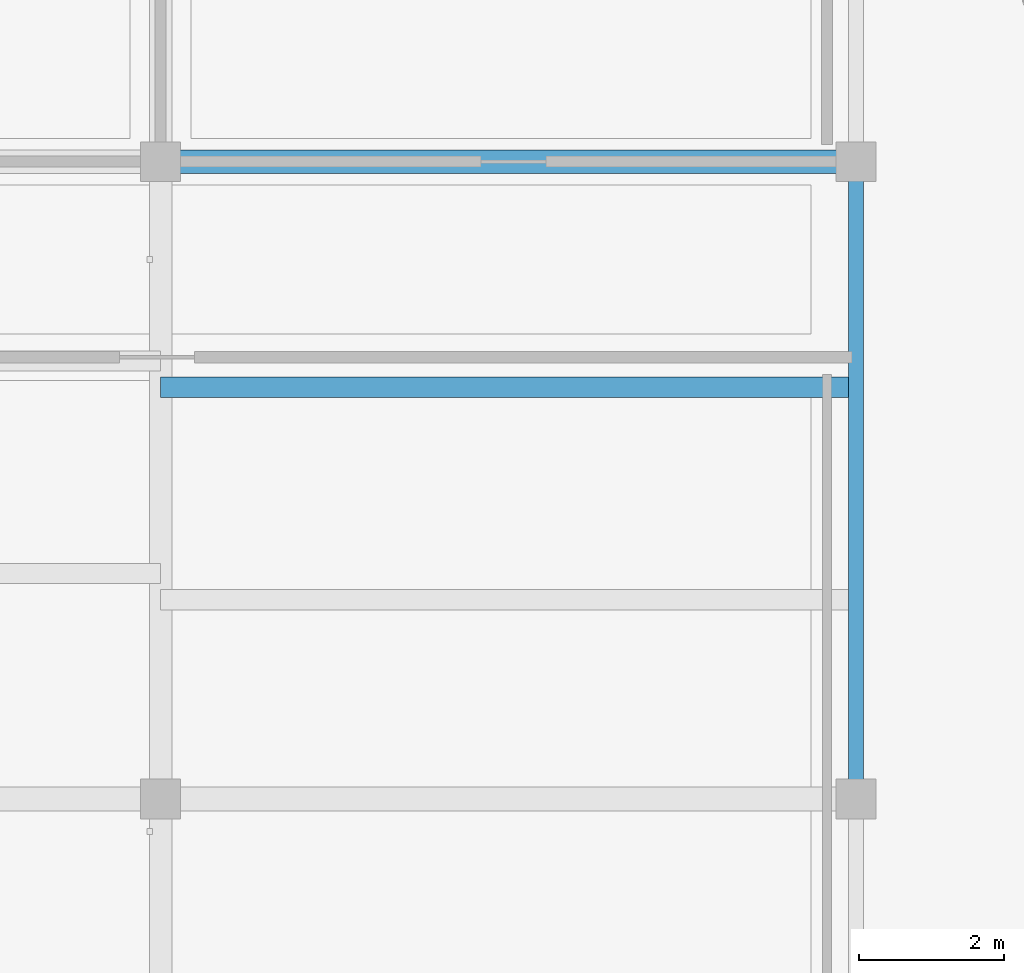
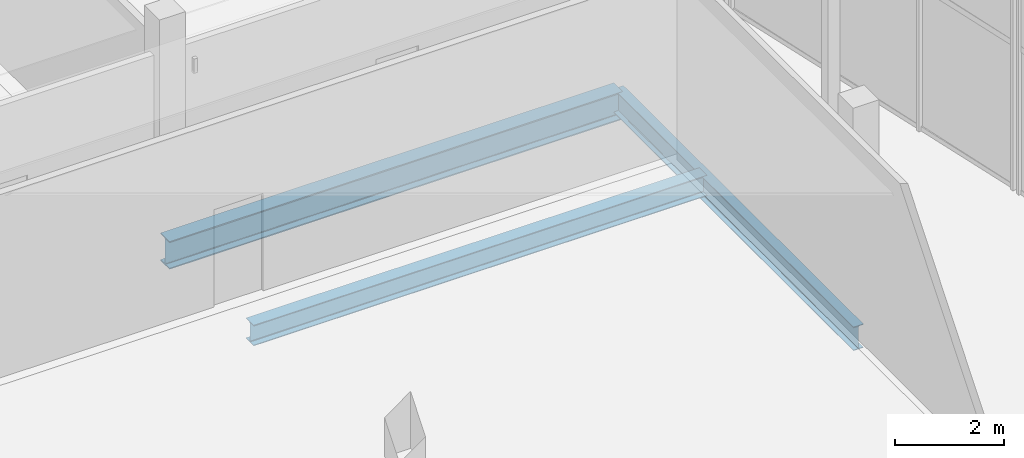
# One storey, part 100 of 157: 3 beams.
"""IFC4 building model written with IfcOpenShell, lengths in metres."""

from ifc_helpers import new_model, si_unit, direction, frame, origin, origin_2d, place, context, subcontext, project, spatial, i_section, extrude, material, material_profile, profile_set, type_object, element, save


model = new_model("IFC4")

# Units and contexts
model_context = context("Model", 3, precision=1e-05, world=origin(), true_north=direction((0.0, 1.0)))
body_context = subcontext(model_context, "Body", "Model", "MODEL_VIEW")
ifc_project = project(units=[si_unit("LENGTHUNIT", "METRE"), si_unit("AREAUNIT", "SQUARE_METRE"), si_unit("VOLUMEUNIT", "CUBIC_METRE"), si_unit("PLANEANGLEUNIT", "RADIAN"), si_unit("MASSUNIT", "GRAM", prefix="KILO")], contexts=[model_context])

# Site, building, storey
site_placement = place(None, origin())
site = spatial("IfcSite", under=ifc_project, at=site_placement, CompositionType="ELEMENT")
building_placement = place(site_placement, origin())
building = spatial("IfcBuilding", under=site, at=building_placement, Name="Chalmorin Arch Market", CompositionType="ELEMENT")
storey_placement = place(building_placement, frame((0.0, 0.0, 4.800048828125)))
storey = spatial("IfcBuildingStorey", under=building, at=storey_placement, Name="L01", CompositionType="ELEMENT", Elevation=4.800048828125)

# Beams
ifc_material = material(Name="Steel A992 Grade 50", Category="steel")
ifc_material_profile_1 = material_profile(ifc_material, i_section(OverallWidth=0.326904296875, OverallDepth=0.6220703125, WebThickness=0.015380859375, FlangeThickness=0.0244140625, FilletRadius=0.02392578125, at=origin_2d()), Name="W24X131")
ifc_profile_set_1 = profile_set([ifc_material_profile_1], Name="Steel A992 Grade 50")
beam_type_1 = type_object("IfcBeamType", Name="HeavyFloorGirder-W24X131", PredefinedType="BEAM", material=ifc_profile_set_1)
beam_1_placement = place(storey_placement, frame((105.60009765625, 109.60009765625, -0.633056640625), z_axis=(1.0, 0.0, 0.0), x_axis=(0.0, 1.0, 0.0)))
element("IfcBeam", 1, at=beam_1_placement, inside=storey, type_object=beam_type_1, Name="BG-W24C-0956", PredefinedType="BEAM", context=body_context, shape_type="SweptSolid", body=[
    extrude(i_section(OverallWidth=0.326904296875, OverallDepth=0.6220703125, WebThickness=0.015380859375, FlangeThickness=0.0244140625, FilletRadius=0.02392578125, at=origin_2d()), origin(), (0.0, 0.0, 1.0), 9.599853515625),
])
ifc_material_profile_2 = material_profile(ifc_material, i_section(OverallWidth=0.208984375, OverallDepth=0.532958984375, WebThickness=0.01025390625, FlangeThickness=0.015625, FilletRadius=0.02197265625, at=origin_2d()), Name="W21X62")
ifc_profile_set_2 = profile_set([ifc_material_profile_2], Name="Steel A992 Grade 50")
beam_type_2 = type_object("IfcBeamType", Name="PerimeterSpandrelBeam-W21X62", PredefinedType="SPANDREL", material=ifc_profile_set_2)
beam_2_placement = place(storey_placement, frame((115.199951171875, 100.800048828125, -0.588623046875), z_axis=(0.0, 1.0, 0.0), x_axis=(-1.0, 0.0, 0.0)))
element("IfcBeam", 2, at=beam_2_placement, inside=storey, type_object=beam_type_2, Name="SP-W21-0957", PredefinedType="SPANDREL", context=body_context, shape_type="SweptSolid", body=[
    extrude(i_section(OverallWidth=0.208984375, OverallDepth=0.532958984375, WebThickness=0.01025390625, FlangeThickness=0.015625, FilletRadius=0.02197265625, at=origin_2d()), origin(), (0.0, 0.0, 1.0), 8.800048828125),
])
ifc_material_profile_3 = material_profile(ifc_material, i_section(OverallWidth=0.280029296875, OverallDepth=0.462890625, WebThickness=0.0107421875, FlangeThickness=0.017333984375, FilletRadius=0.02001953125, at=origin_2d()), Name="W18X76")
ifc_profile_set_3 = profile_set([ifc_material_profile_3], Name="Steel A992 Grade 50")
beam_type_3 = type_object("IfcBeamType", Name="WorkshopSteelBeam-W18X76", PredefinedType="BEAM", material=ifc_profile_set_3)
beam_3_placement = place(storey_placement, frame((105.60009765625, 106.48681640625, -0.553466796875), z_axis=(1.0, 0.0, 0.0), x_axis=(0.0, 1.0, 0.0)))
element("IfcBeam", 3, at=beam_3_placement, inside=storey, type_object=beam_type_3, Name="BM-W18C-1021", PredefinedType="BEAM", context=body_context, shape_type="SweptSolid", body=[
    extrude(i_section(OverallWidth=0.280029296875, OverallDepth=0.462890625, WebThickness=0.0107421875, FlangeThickness=0.017333984375, FilletRadius=0.02001953125, at=origin_2d()), origin(), (0.0, 0.0, 1.0), 9.599853515625),
])

save(model, "model.ifc")
